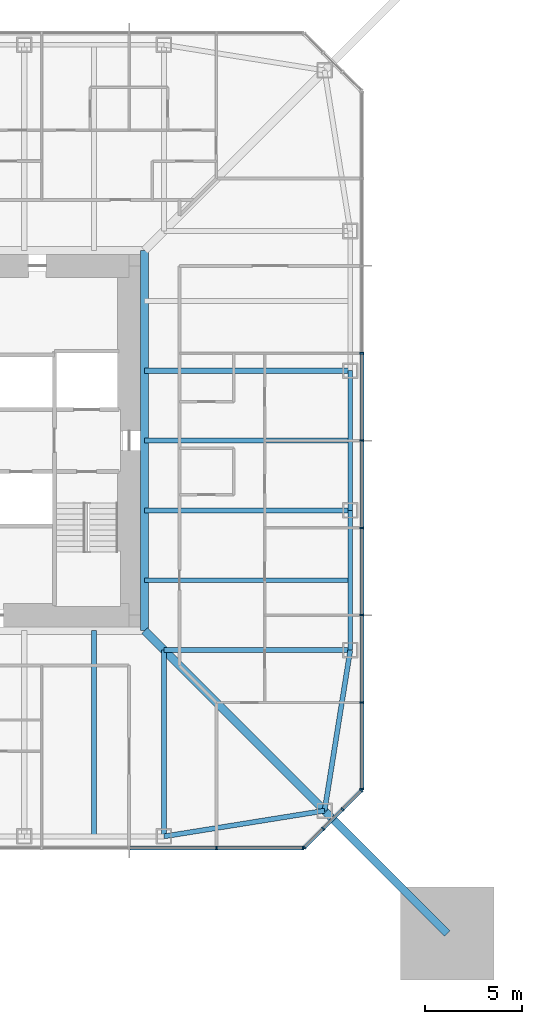
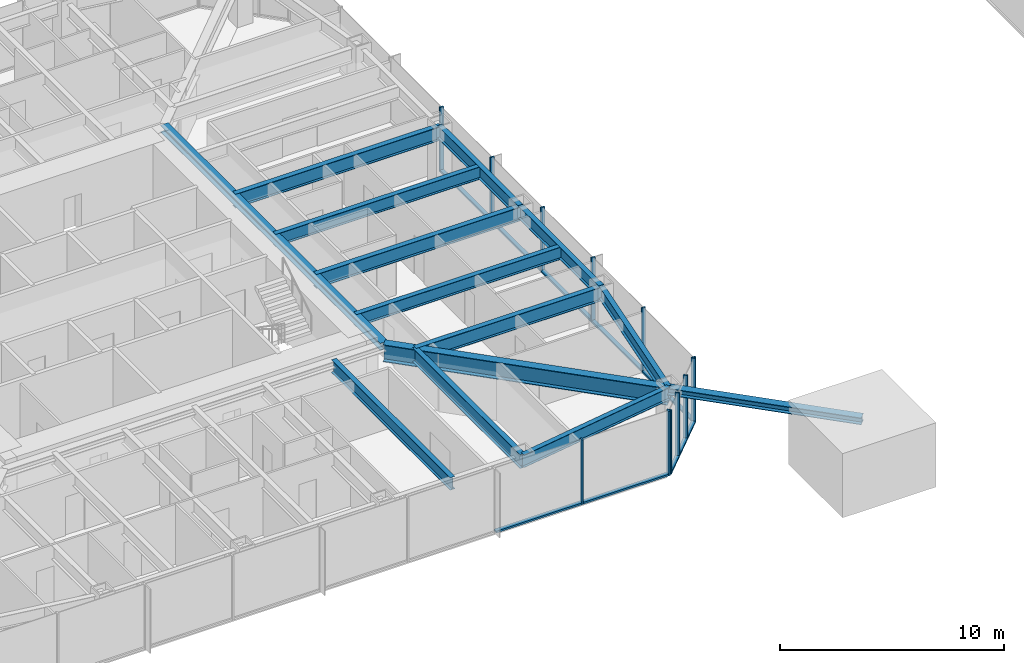
# One storey, part 5 of 25: 23 members, 13 beams, 3 elements without a shape of their own.
"""IFC4 building model written with IfcOpenShell, lengths in metres."""

from ifc_helpers import new_model, si_unit, direction, frame, origin, origin_2d, place, context, subcontext, project, spatial, rectangle, i_section, extrude, material, material_profile, profile_set, type_object, element, aggregate, save


model = new_model("IFC4")

# Units and contexts
model_context = context("Model", 3, precision=1e-05, world=origin(), true_north=direction((0.0, 1.0)))
body_context = subcontext(model_context, "Body", "Model", "MODEL_VIEW")
ifc_project = project(units=[si_unit("LENGTHUNIT", "METRE"), si_unit("AREAUNIT", "SQUARE_METRE"), si_unit("VOLUMEUNIT", "CUBIC_METRE"), si_unit("PLANEANGLEUNIT", "RADIAN"), si_unit("MASSUNIT", "GRAM", prefix="KILO")], contexts=[model_context])

# Site, building, storey
site_placement = place(None, origin())
site = spatial("IfcSite", under=ifc_project, at=site_placement, CompositionType="ELEMENT")
building_placement = place(site_placement, origin())
building = spatial("IfcBuilding", under=site, at=building_placement, Name="Iwan Alto Co-Living Towers", CompositionType="ELEMENT")
storey_placement = place(building_placement, frame((0.0, 0.0, 119.0)))
storey = spatial("IfcBuildingStorey", under=building, at=storey_placement, Name="L32", CompositionType="ELEMENT", Elevation=119.0)

# Curtain wall, members
ifc_material_1 = material(Name="Bronze aluminium unitised frame", Category="aluminium")
curtain_wall_type_1 = type_object("IfcCurtainWallType", Name="CURTAIN WALL CW-A", PredefinedType="NOTDEFINED", material=ifc_material_1)
curtain_wall_1_placement = place(storey_placement, origin())
curtain_wall_1 = element("IfcCurtainWall", 1, at=curtain_wall_1_placement, inside=storey, type_object=curtain_wall_type_1, Name="T1 curtain wall S L32", PredefinedType="NOTDEFINED")
ifc_material_2 = material(Name="Aluminium 6063-T6 bronze anodised", Category="aluminium")
ifc_material_profile_1 = material_profile(ifc_material_2, rectangle(XDim=0.199951171875, YDim=0.080078125, at=origin_2d()), Name="AL 80X200")
ifc_profile_set_1 = profile_set([ifc_material_profile_1], Name="Aluminium 6063-T6 bronze anodised")
member_type_1 = type_object("IfcMemberType", Name="CW-A MULLION 80X200", PredefinedType="MULLION", material=ifc_profile_set_1)
member_1_placement = place(storey_placement, frame((13.5, -21.0, 0.0), z_axis=(0.0, 0.0, 1.0), x_axis=(0.0, 1.0, 0.0)))
member_1 = element("IfcMember", 2, at=member_1_placement, type_object=member_type_1, Name="CW-A mullion 8", PredefinedType="MULLION", context=body_context, shape_type="SweptSolid", body=[
    extrude(rectangle(XDim=0.199951171875, YDim=0.080078125, at=origin_2d()), origin(), (0.0, 0.0, 1.0), 3.5),
])
member_2_placement = place(storey_placement, frame((17.9599609375, -21.0, 0.0), z_axis=(0.0, 0.0, 1.0), x_axis=(0.0, 1.0, 0.0)))
member_2 = element("IfcMember", 3, at=member_2_placement, type_object=member_type_1, Name="CW-A mullion 9", PredefinedType="MULLION", context=body_context, shape_type="SweptSolid", body=[
    extrude(rectangle(XDim=0.199951171875, YDim=0.080078125, at=origin_2d()), origin(), (0.0, 0.0, 1.0), 3.5),
])

curtain_wall_2_placement = place(storey_placement, origin())
curtain_wall_2 = element("IfcCurtainWall", 4, at=curtain_wall_2_placement, inside=storey, type_object=curtain_wall_type_1, Name="T1 curtain wall E L32", PredefinedType="NOTDEFINED")
member_3_placement = place(storey_placement, frame((21.0, -17.9599609375, 0.0), z_axis=(0.0, 0.0, 1.0), x_axis=(-1.0, 0.0, 0.0)))
member_3 = element("IfcMember", 5, at=member_3_placement, type_object=member_type_1, Name="CW-A mullion 1", PredefinedType="MULLION", context=body_context, shape_type="SweptSolid", body=[
    extrude(rectangle(XDim=0.199951171875, YDim=0.080078125, at=origin_2d()), origin(), (0.0, 0.0, 1.0), 3.5),
])
member_4_placement = place(storey_placement, frame((21.0, -13.5, 0.0), z_axis=(0.0, 0.0, 1.0), x_axis=(-1.0, 0.0, 0.0)))
member_4 = element("IfcMember", 6, at=member_4_placement, type_object=member_type_1, Name="CW-A mullion 2", PredefinedType="MULLION", context=body_context, shape_type="SweptSolid", body=[
    extrude(rectangle(XDim=0.199951171875, YDim=0.080078125, at=origin_2d()), origin(), (0.0, 0.0, 1.0), 3.5),
])
member_5_placement = place(storey_placement, frame((21.0, -9.0, 0.0), z_axis=(0.0, 0.0, 1.0), x_axis=(-1.0, 0.0, 0.0)))
member_5 = element("IfcMember", 7, at=member_5_placement, type_object=member_type_1, Name="CW-A mullion 3", PredefinedType="MULLION", context=body_context, shape_type="SweptSolid", body=[
    extrude(rectangle(XDim=0.199951171875, YDim=0.080078125, at=origin_2d()), origin(), (0.0, 0.0, 1.0), 3.5),
])
member_6_placement = place(storey_placement, frame((21.0, -4.5, 0.0), z_axis=(0.0, 0.0, 1.0), x_axis=(-1.0, 0.0, 0.0)))
member_6 = element("IfcMember", 8, at=member_6_placement, type_object=member_type_1, Name="CW-A mullion 4", PredefinedType="MULLION", context=body_context, shape_type="SweptSolid", body=[
    extrude(rectangle(XDim=0.199951171875, YDim=0.080078125, at=origin_2d()), origin(), (0.0, 0.0, 1.0), 3.5),
])
member_7_placement = place(storey_placement, frame((21.0, 0.0, 0.0), z_axis=(0.0, 0.0, 1.0), x_axis=(-1.0, 0.0, 0.0)))
member_7 = element("IfcMember", 9, at=member_7_placement, type_object=member_type_1, Name="CW-A mullion 5", PredefinedType="MULLION", context=body_context, shape_type="SweptSolid", body=[
    extrude(rectangle(XDim=0.199951171875, YDim=0.080078125, at=origin_2d()), origin(), (0.0, 0.0, 1.0), 3.5),
])
member_8_placement = place(storey_placement, frame((21.0, 4.5, 0.0), z_axis=(0.0, 0.0, 1.0), x_axis=(-1.0, 0.0, 0.0)))
member_8 = element("IfcMember", 10, at=member_8_placement, type_object=member_type_1, Name="CW-A mullion 6", PredefinedType="MULLION", context=body_context, shape_type="SweptSolid", body=[
    extrude(rectangle(XDim=0.199951171875, YDim=0.080078125, at=origin_2d()), origin(), (0.0, 0.0, 1.0), 3.5),
])

# Member
ifc_material_3 = material(Name="Aluminium 6063-T6 bronze anodised", Category="aluminium")
ifc_material_profile_2 = material_profile(ifc_material_3, rectangle(XDim=0.199951171875, YDim=0.10009765625, at=origin_2d()), Name="AL 200X100")
ifc_profile_set_2 = profile_set([ifc_material_profile_2], Name="Aluminium 6063-T6 bronze anodised")
member_type_2 = type_object("IfcMemberType", Name="CW-A TRANSOM 200X100", PredefinedType="USERDEFINED", material=ifc_profile_set_2)
member_9_placement = place(storey_placement, frame((9.0400390625, -21.0, 0.050048828125), z_axis=(1.0, 0.0, 0.0), x_axis=(0.0, 1.0, 0.0)))
member_9 = element("IfcMember", 11, at=member_9_placement, type_object=member_type_2, Name="CW-A transom 7.1", ObjectType="TRANSOM", PredefinedType="USERDEFINED", context=body_context, shape_type="SweptSolid", body=[
    extrude(rectangle(XDim=0.199951171875, YDim=0.10009765625, at=origin_2d()), origin(), (0.0, 0.0, 1.0), 4.419921875),
])

member_10_placement = place(storey_placement, frame((13.5400390625, -21.0, 0.050048828125), z_axis=(1.0, 0.0, 0.0), x_axis=(0.0, 1.0, 0.0)))
member_10 = element("IfcMember", 12, at=member_10_placement, type_object=member_type_2, Name="CW-A transom 8.1", ObjectType="TRANSOM", PredefinedType="USERDEFINED", context=body_context, shape_type="SweptSolid", body=[
    extrude(rectangle(XDim=0.199951171875, YDim=0.10009765625, at=origin_2d()), origin(), (0.0, 0.0, 1.0), 4.3798828125),
])

aggregate(curtain_wall_1, [member_1, member_2, member_9, member_10])

member_11_placement = place(storey_placement, frame((21.0, -17.919921875, 0.050048828125), z_axis=(0.0, 1.0, 0.0), x_axis=(-1.0, 0.0, 0.0)))
member_11 = element("IfcMember", 13, at=member_11_placement, type_object=member_type_2, Name="CW-A transom 1.1", ObjectType="TRANSOM", PredefinedType="USERDEFINED", context=body_context, shape_type="SweptSolid", body=[
    extrude(rectangle(XDim=0.199951171875, YDim=0.10009765625, at=origin_2d()), origin(), (0.0, 0.0, 1.0), 4.3798828125),
])

member_12_placement = place(storey_placement, frame((21.0, -13.4599609375, 0.050048828125), z_axis=(0.0, 1.0, 0.0), x_axis=(-1.0, 0.0, 0.0)))
member_12 = element("IfcMember", 14, at=member_12_placement, type_object=member_type_2, Name="CW-A transom 2.1", ObjectType="TRANSOM", PredefinedType="USERDEFINED", context=body_context, shape_type="SweptSolid", body=[
    extrude(rectangle(XDim=0.199951171875, YDim=0.10009765625, at=origin_2d()), origin(), (0.0, 0.0, 1.0), 4.419921875),
])

member_13_placement = place(storey_placement, frame((21.0, -8.9599609375, 0.050048828125), z_axis=(0.0, 1.0, 0.0), x_axis=(-1.0, 0.0, 0.0)))
member_13 = element("IfcMember", 15, at=member_13_placement, type_object=member_type_2, Name="CW-A transom 3.1", ObjectType="TRANSOM", PredefinedType="USERDEFINED", context=body_context, shape_type="SweptSolid", body=[
    extrude(rectangle(XDim=0.199951171875, YDim=0.10009765625, at=origin_2d()), origin(), (0.0, 0.0, 1.0), 4.419921875),
])

member_14_placement = place(storey_placement, frame((21.0, -4.4599609375, 0.050048828125), z_axis=(0.0, 1.0, 0.0), x_axis=(-1.0, 0.0, 0.0)))
member_14 = element("IfcMember", 16, at=member_14_placement, type_object=member_type_2, Name="CW-A transom 4.1", ObjectType="TRANSOM", PredefinedType="USERDEFINED", context=body_context, shape_type="SweptSolid", body=[
    extrude(rectangle(XDim=0.199951171875, YDim=0.10009765625, at=origin_2d()), origin(), (0.0, 0.0, 1.0), 4.419921875),
])

member_15_placement = place(storey_placement, frame((21.0, 0.0400390625, 0.050048828125), z_axis=(0.0, 1.0, 0.0), x_axis=(-1.0, 0.0, 0.0)))
member_15 = element("IfcMember", 17, at=member_15_placement, type_object=member_type_2, Name="CW-A transom 5.1", ObjectType="TRANSOM", PredefinedType="USERDEFINED", context=body_context, shape_type="SweptSolid", body=[
    extrude(rectangle(XDim=0.199951171875, YDim=0.10009765625, at=origin_2d()), origin(), (0.0, 0.0, 1.0), 4.419921875),
])

aggregate(curtain_wall_2, [member_3, member_4, member_5, member_6, member_7, member_8, member_11, member_12, member_13, member_14, member_15])

# Curtain wall, members
ifc_material_4 = material(Name="Bronze aluminium unitised frame", Category="aluminium")
curtain_wall_type_2 = type_object("IfcCurtainWallType", Name="CURTAIN WALL CW-B", PredefinedType="NOTDEFINED", material=ifc_material_4)
curtain_wall_3_placement = place(storey_placement, origin())
curtain_wall_3 = element("IfcCurtainWall", 18, at=curtain_wall_3_placement, inside=storey, type_object=curtain_wall_type_2, Name="T1 chamfer curtain wall SE L32", PredefinedType="NOTDEFINED")
ifc_material_5 = material(Name="Aluminium 6063-T6 bronze anodised", Category="aluminium")
ifc_material_profile_3 = material_profile(ifc_material_5, rectangle(XDim=0.199951171875, YDim=0.080078125, at=origin_2d()), Name="AL 80X200")
ifc_profile_set_3 = profile_set([ifc_material_profile_3], Name="Aluminium 6063-T6 bronze anodised")
member_type_3 = type_object("IfcMemberType", Name="CW-B MULLION 80X200", PredefinedType="MULLION", material=ifc_profile_set_3)
member_16_placement = place(storey_placement, frame((18.0283203125, -20.9716796875, 0.0), z_axis=(0.0, 0.0, 1.0), x_axis=(-0.707106781187, 0.707106781187, 0.0)))
member_16 = element("IfcMember", 19, at=member_16_placement, type_object=member_type_3, Name="CW-B mullion 1", PredefinedType="MULLION", context=body_context, shape_type="SweptSolid", body=[
    extrude(rectangle(XDim=0.199951171875, YDim=0.080078125, at=origin_2d()), origin(), (0.0, 0.0, 1.0), 3.5),
])
member_17_placement = place(storey_placement, frame((19.0, -20.0, 0.0), z_axis=(0.0, 0.0, 1.0), x_axis=(-0.707106781187, 0.707106781187, 0.0)))
member_17 = element("IfcMember", 20, at=member_17_placement, type_object=member_type_3, Name="CW-B mullion 2", PredefinedType="MULLION", context=body_context, shape_type="SweptSolid", body=[
    extrude(rectangle(XDim=0.199951171875, YDim=0.080078125, at=origin_2d()), origin(), (0.0, 0.0, 1.0), 3.5),
])
member_18_placement = place(storey_placement, frame((20.0, -19.0, 0.0), z_axis=(0.0, 0.0, 1.0), x_axis=(-0.707106781187, 0.707106781187, 0.0)))
member_18 = element("IfcMember", 21, at=member_18_placement, type_object=member_type_3, Name="CW-B mullion 3", PredefinedType="MULLION", context=body_context, shape_type="SweptSolid", body=[
    extrude(rectangle(XDim=0.199951171875, YDim=0.080078125, at=origin_2d()), origin(), (0.0, 0.0, 1.0), 3.5),
])
member_19_placement = place(storey_placement, frame((20.9716796875, -18.0283203125, 0.0), z_axis=(0.0, 0.0, 1.0), x_axis=(-0.707106781187, 0.707106781187, 0.0)))
member_19 = element("IfcMember", 22, at=member_19_placement, type_object=member_type_3, Name="CW-B mullion 4", PredefinedType="MULLION", context=body_context, shape_type="SweptSolid", body=[
    extrude(rectangle(XDim=0.199951171875, YDim=0.080078125, at=origin_2d()), origin(), (0.0, 0.0, 1.0), 3.5),
])
ifc_material_6 = material(Name="Aluminium 6063-T6 bronze anodised", Category="aluminium")
ifc_material_profile_4 = material_profile(ifc_material_6, rectangle(XDim=0.199951171875, YDim=0.10009765625, at=origin_2d()), Name="AL 200X100")
ifc_profile_set_4 = profile_set([ifc_material_profile_4], Name="Aluminium 6063-T6 bronze anodised")
member_type_4 = type_object("IfcMemberType", Name="CW-B TRANSOM 200X100", PredefinedType="USERDEFINED", material=ifc_profile_set_4)
member_20_placement = place(storey_placement, frame((18.056640625, -20.943359375, 0.050048828125), z_axis=(0.707106781187, 0.707106781187, 0.0), x_axis=(-0.707106781187, 0.707106781187, 0.0)))
member_20 = element("IfcMember", 23, at=member_20_placement, type_object=member_type_4, Name="CW-B transom 1.1", ObjectType="TRANSOM", PredefinedType="USERDEFINED", context=body_context, shape_type="SweptSolid", body=[
    extrude(rectangle(XDim=0.199951171875, YDim=0.10009765625, at=origin_2d()), origin(), (0.0, 0.0, 1.0), 1.2939453125),
])
member_21_placement = place(storey_placement, frame((19.0283203125, -19.9716796875, 0.050048828125), z_axis=(0.707106781187, 0.707106781187, 0.0), x_axis=(-0.707106781187, 0.707106781187, 0.0)))
member_21 = element("IfcMember", 24, at=member_21_placement, type_object=member_type_4, Name="CW-B transom 2.1", ObjectType="TRANSOM", PredefinedType="USERDEFINED", context=body_context, shape_type="SweptSolid", body=[
    extrude(rectangle(XDim=0.199951171875, YDim=0.10009765625, at=origin_2d()), origin(), (0.0, 0.0, 1.0), 1.334228515625),
])
member_22_placement = place(storey_placement, frame((20.0283203125, -18.9716796875, 0.050048828125), z_axis=(0.707106781187, 0.707106781187, 0.0), x_axis=(-0.707106781187, 0.707106781187, 0.0)))
member_22 = element("IfcMember", 25, at=member_22_placement, type_object=member_type_4, Name="CW-B transom 3.1", ObjectType="TRANSOM", PredefinedType="USERDEFINED", context=body_context, shape_type="SweptSolid", body=[
    extrude(rectangle(XDim=0.199951171875, YDim=0.10009765625, at=origin_2d()), origin(), (0.0, 0.0, 1.0), 1.2939453125),
])
aggregate(curtain_wall_3, [member_16, member_17, member_18, member_19, member_20, member_21, member_22])

# Beams
ifc_material_7 = material(Name="Steel ASTM A992 Gr 50", Category="steel")
ifc_material_profile_5 = material_profile(ifc_material_7, i_section(OverallWidth=0.398681640625, OverallDepth=0.385986328125, WebThickness=0.02099609375, FlangeThickness=0.033203125, at=origin_2d()), Name="W14X176")
ifc_profile_set_5 = profile_set([ifc_material_profile_5], Name="Steel ASTM A992 Gr 50")
beam_type_1 = type_object("IfcBeamType", Name="T1 CORE LEDGER BEAM W14X176", PredefinedType="BEAM", material=ifc_profile_set_5)
beam_1_placement = place(storey_placement, frame((9.79931640625, -9.79931640625, 3.076904296875), z_axis=(0.0, 1.0, 0.0), x_axis=(-1.0, 0.0, 0.0)))
element("IfcBeam", 26, at=beam_1_placement, inside=storey, type_object=beam_type_1, Name="T1 core ledger beam E L33", PredefinedType="BEAM", context=body_context, shape_type="SweptSolid", body=[
    extrude(i_section(OverallWidth=0.398681640625, OverallDepth=0.385986328125, WebThickness=0.02099609375, FlangeThickness=0.033203125, at=origin_2d()), origin(), (0.0, 0.0, 1.0), 19.5986328125),
])
ifc_material_8 = material(Name="Steel ASTM A992 Gr 50", Category="steel")
ifc_material_profile_6 = material_profile(ifc_material_8, i_section(OverallWidth=0.419189453125, OverallDepth=0.927001953125, WebThickness=0.019287109375, FlangeThickness=0.031982421875, at=origin_2d()), Name="W36X231")
ifc_profile_set_6 = profile_set([ifc_material_profile_6], Name="Steel ASTM A992 Gr 50")
beam_type_2 = type_object("IfcBeamType", Name="T1 CORNER GIRDER W36X231", PredefinedType="BEAM", material=ifc_profile_set_6)
beam_2_placement = place(storey_placement, frame((19.07568359375, -19.07568359375, 2.806396484375), z_axis=(-0.707106781187, 0.707106781187, 0.0), x_axis=(-0.707106781187, -0.707106781187, 0.0)))
element("IfcBeam", 27, at=beam_2_placement, inside=storey, type_object=beam_type_2, Name="T1 corner girder CSE L33", PredefinedType="BEAM", context=body_context, shape_type="SweptSolid", body=[
    extrude(i_section(OverallWidth=0.419189453125, OverallDepth=0.927001953125, WebThickness=0.019287109375, FlangeThickness=0.031982421875, at=origin_2d()), origin(), (0.0, 0.0, 1.0), 13.11865234375),
])
ifc_material_9 = material(Name="Steel ASTM A992 Gr 50", Category="steel")
ifc_material_profile_7 = material_profile(ifc_material_9, i_section(OverallWidth=0.25390625, OverallDepth=0.683349609375, WebThickness=0.012451171875, FlangeThickness=0.018798828125, at=origin_2d()), Name="W27X94")
ifc_profile_set_7 = profile_set([ifc_material_profile_7], Name="Steel ASTM A992 Gr 50")
beam_type_3 = type_object("IfcBeamType", Name="T1 EDGE BEAM W27X94", PredefinedType="BEAM", material=ifc_profile_set_7)
for number, where, z_axis, x_axis, name in (
    (28, (10.800048828125, -20.39990234375, 2.928466796875), (0.987438450439, 0.158004134737, 0.0), (-0.158004134737, 0.987438450439, 0.0), "T1 edge beam S4 L33"),
    (29, (19.07568359375, -19.07568359375, 2.928466796875), (0.158004134737, 0.987438450439, 0.0), (-0.987438450439, 0.158004134737, 0.0), "T1 edge beam CSE L33"),
):
    element("IfcBeam", number, at=place(storey_placement, frame(where, z_axis=z_axis, x_axis=x_axis)), inside=storey, type_object=beam_type_3, Name=name, PredefinedType="BEAM", context=body_context, shape_type="SweptSolid", body=[
        extrude(i_section(OverallWidth=0.25390625, OverallDepth=0.683349609375, WebThickness=0.012451171875, FlangeThickness=0.018798828125, at=origin_2d()), origin(), (0.0, 0.0, 1.0), 8.380859375),
    ])
beam_3_placement = place(storey_placement, frame((20.39990234375, -10.800048828125, 2.928466796875), z_axis=(0.0, 1.0, 0.0), x_axis=(-1.0, 0.0, 0.0)))
element("IfcBeam", 30, at=beam_3_placement, inside=storey, type_object=beam_type_3, Name="T1 edge beam E1 L33", PredefinedType="BEAM", context=body_context, shape_type="SweptSolid", body=[
    extrude(i_section(OverallWidth=0.25390625, OverallDepth=0.683349609375, WebThickness=0.012451171875, FlangeThickness=0.018798828125, at=origin_2d()), origin(), (0.0, 0.0, 1.0), 7.199951171875),
])
beam_4_placement = place(storey_placement, frame((20.39990234375, -3.60009765625, 2.928466796875), z_axis=(0.0, 1.0, 0.0), x_axis=(-1.0, 0.0, 0.0)))
element("IfcBeam", 31, at=beam_4_placement, inside=storey, type_object=beam_type_3, Name="T1 edge beam E2 L33", PredefinedType="BEAM", context=body_context, shape_type="SweptSolid", body=[
    extrude(i_section(OverallWidth=0.25390625, OverallDepth=0.683349609375, WebThickness=0.012451171875, FlangeThickness=0.018798828125, at=origin_2d()), origin(), (0.0, 0.0, 1.0), 7.2001953125),
])

# Member
ifc_material_10 = material(Name="Steel ASTM A992 Gr 50", Category="steel")
ifc_material_profile_8 = material_profile(ifc_material_10, i_section(OverallWidth=0.393798828125, OverallDepth=0.3759765625, WebThickness=0.017333984375, FlangeThickness=0.027587890625, at=origin_2d()), Name="W14X145")
ifc_profile_set_8 = profile_set([ifc_material_profile_8], Name="Steel ASTM A992 Gr 50")
member_type_5 = type_object("IfcMemberType", Name="T1 MEGA COLUMN FLOOR TIE W14X145", PredefinedType="STRUT", material=ifc_profile_set_8)
member_23_placement = place(storey_placement, frame((25.39990234375, -25.39990234375, 3.08203125), z_axis=(-0.707106781187, 0.707106781187, 0.0), x_axis=(-0.707106781187, -0.707106781187, 0.0)))
element("IfcMember", 32, at=member_23_placement, inside=storey, type_object=member_type_5, Name="T1 mega column floor tie SE L33", PredefinedType="STRUT", context=body_context, shape_type="SweptSolid", body=[
    extrude(i_section(OverallWidth=0.393798828125, OverallDepth=0.3759765625, WebThickness=0.017333984375, FlangeThickness=0.027587890625, at=origin_2d()), origin(), (0.0, 0.0, 1.0), 8.94384765625),
])

# Beams
ifc_material_11 = material(Name="Steel ASTM A992 Gr 50", Category="steel")
ifc_material_profile_9 = material_profile(ifc_material_11, i_section(OverallWidth=0.2666015625, OverallDepth=0.761962890625, WebThickness=0.014404296875, FlangeThickness=0.021484375, at=origin_2d()), Name="W30X116")
ifc_profile_set_9 = profile_set([ifc_material_profile_9], Name="Steel ASTM A992 Gr 50")
beam_type_4 = type_object("IfcBeamType", Name="T1 RADIAL BEAM W30X116", PredefinedType="BEAM", material=ifc_profile_set_9)
for number, where, z_axis, x_axis, name in (
    (33, (10.800048828125, -20.39990234375, 2.888916015625), (0.0, 1.0, 0.0), (-1.0, 0.0, 0.0), "T1 radial beam S4 L33"),
    (34, (20.39990234375, -10.800048828125, 2.888916015625), (-1.0, 0.0, 0.0), (0.0, -1.0, 0.0), "T1 radial beam E1 L33"),
):
    element("IfcBeam", number, at=place(storey_placement, frame(where, z_axis=z_axis, x_axis=x_axis)), inside=storey, type_object=beam_type_4, Name=name, PredefinedType="BEAM", context=body_context, shape_type="SweptSolid", body=[
        extrude(i_section(OverallWidth=0.2666015625, OverallDepth=0.761962890625, WebThickness=0.014404296875, FlangeThickness=0.021484375, at=origin_2d()), origin(), (0.0, 0.0, 1.0), 9.599853515625),
    ])
for number, where, z_axis, x_axis, name in (
    (35, (20.39990234375, -3.60009765625, 2.888916015625), (-1.0, 0.0, 0.0), (0.0, -1.0, 0.0), "T1 radial beam E2 L33"),
    (36, (20.39990234375, 3.60009765625, 2.888916015625), (-1.0, 0.0, 0.0), (0.0, -1.0, 0.0), "T1 radial beam E3 L33"),
):
    element("IfcBeam", number, at=place(storey_placement, frame(where, z_axis=z_axis, x_axis=x_axis)), inside=storey, type_object=beam_type_4, Name=name, PredefinedType="BEAM", context=body_context, shape_type="SweptSolid", body=[
        extrude(i_section(OverallWidth=0.2666015625, OverallDepth=0.761962890625, WebThickness=0.014404296875, FlangeThickness=0.021484375, at=origin_2d()), origin(), (0.0, 0.0, 1.0), 10.6005859375),
    ])
ifc_material_12 = material(Name="Steel ASTM A992 Gr 50", Category="steel")
ifc_material_profile_10 = material_profile(ifc_material_12, i_section(OverallWidth=0.25390625, OverallDepth=0.683349609375, WebThickness=0.012451171875, FlangeThickness=0.018798828125, at=origin_2d()), Name="W27X94")
ifc_profile_set_10 = profile_set([ifc_material_profile_10], Name="Steel ASTM A992 Gr 50")
beam_type_5 = type_object("IfcBeamType", Name="T1 SECONDARY BEAM W27X94", PredefinedType="JOIST", material=ifc_profile_set_10)
for number, where, z_axis, x_axis, name in (
    (37, (7.199951171875, -20.39990234375, 2.928466796875), (0.0, 1.0, 0.0), (-1.0, 0.0, 0.0), "T1 secondary beam S3 L33"),
    (38, (20.39990234375, -7.199951171875, 2.928466796875), (-1.0, 0.0, 0.0), (0.0, -1.0, 0.0), "T1 secondary beam E1 L33"),
    (39, (20.39990234375, 0.0, 2.928466796875), (-1.0, 0.0, 0.0), (0.0, -1.0, 0.0), "T1 secondary beam E2 L33"),
):
    element("IfcBeam", number, at=place(storey_placement, frame(where, z_axis=z_axis, x_axis=x_axis)), inside=storey, type_object=beam_type_5, Name=name, PredefinedType="JOIST", context=body_context, shape_type="SweptSolid", body=[
        extrude(i_section(OverallWidth=0.25390625, OverallDepth=0.683349609375, WebThickness=0.012451171875, FlangeThickness=0.018798828125, at=origin_2d()), origin(), (0.0, 0.0, 1.0), 10.6005859375),
    ])

save(model, "model.ifc")
